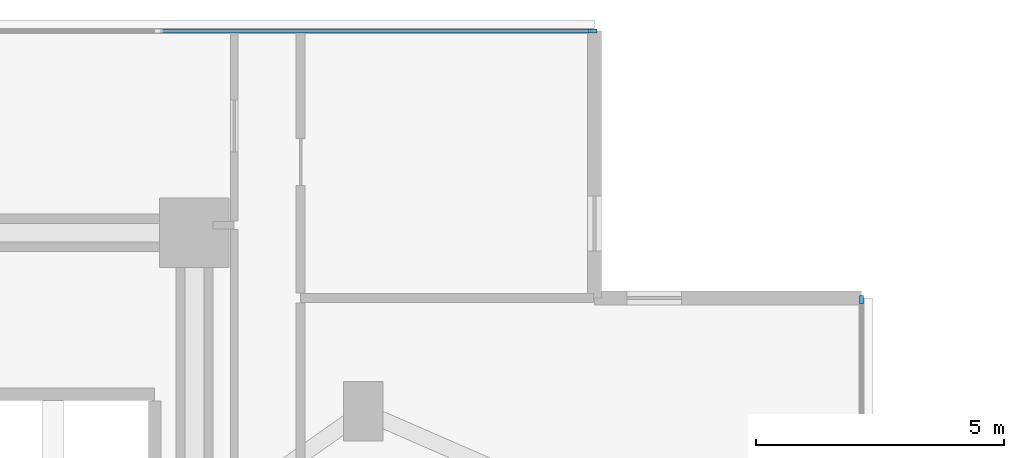
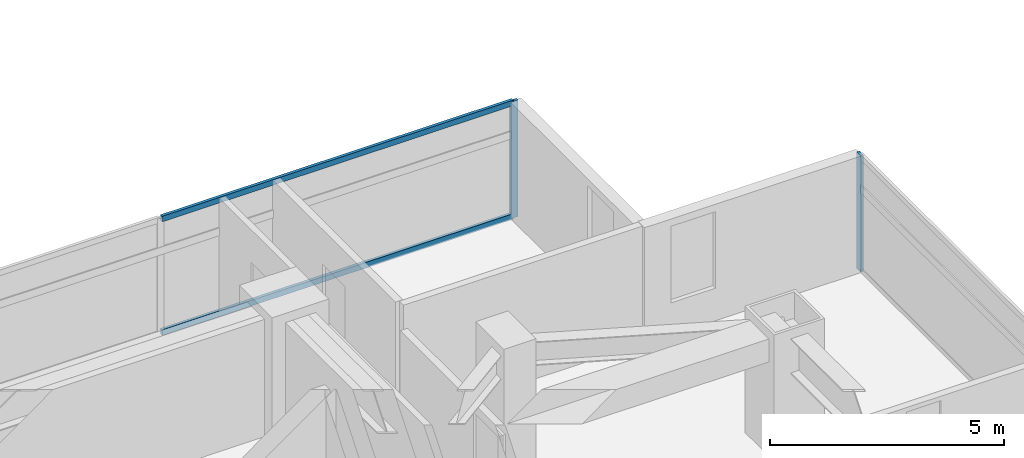
# One storey, part 8 of 26: 4 members, 2 elements without a shape of their own.
"""IFC4 building model written with IfcOpenShell, lengths in metres."""

from ifc_helpers import new_model, si_unit, direction, frame, origin, origin_2d, place, context, subcontext, project, spatial, rectangle, extrude, material, material_profile, profile_set, type_object, element, aggregate, save


model = new_model("IFC4")

# Units and contexts
model_context = context("Model", 3, precision=1e-05, world=origin(), true_north=direction((0.0, 1.0)))
body_context = subcontext(model_context, "Body", "Model", "MODEL_VIEW")
ifc_project = project(units=[si_unit("LENGTHUNIT", "METRE"), si_unit("AREAUNIT", "SQUARE_METRE"), si_unit("VOLUMEUNIT", "CUBIC_METRE"), si_unit("PLANEANGLEUNIT", "RADIAN"), si_unit("MASSUNIT", "GRAM", prefix="KILO")], contexts=[model_context])

# Site, building, storey
site_placement = place(None, origin())
site = spatial("IfcSite", under=ifc_project, at=site_placement, CompositionType="ELEMENT")
building_placement = place(site_placement, origin())
building = spatial("IfcBuilding", under=site, at=building_placement, Name="Mirazonda Arch Towers", CompositionType="ELEMENT")
storey_placement = place(building_placement, frame((0.0, 0.0, 45.5)))
storey = spatial("IfcBuildingStorey", under=building, at=storey_placement, Name="L12", CompositionType="ELEMENT", Elevation=45.5)

# Curtain wall, member
ifc_material_1 = material(Name="Anodised Aluminium and Low-E Glass", Category="aluminium")
curtain_wall_type = type_object("IfcCurtainWallType", Name="CW-HTL-UNIT", PredefinedType="NOTDEFINED", material=ifc_material_1)
curtain_wall_1_placement = place(storey_placement, origin())
curtain_wall_1 = element("IfcCurtainWall", 1, at=curtain_wall_1_placement, inside=storey, type_object=curtain_wall_type, Name="L12 T1 E Facade CW-L12-T1-E", PredefinedType="NOTDEFINED")
ifc_material_2 = material(Name="Anodised Aluminium Alloy", Category="aluminium")
ifc_material_profile_1 = material_profile(ifc_material_2, rectangle(XDim=0.074951171875, YDim=0.1650390625, at=origin_2d()), Name="ALU-MULL-75x165")
ifc_profile_set_1 = profile_set([ifc_material_profile_1], Name="Anodised Aluminium Alloy")
member_type_1 = type_object("IfcMemberType", Name="MULL-CW-HTL-UNIT", PredefinedType="MULLION", material=ifc_profile_set_1)
member_1_placement = place(storey_placement, frame((43.43994140625, 42.24853515625, 0.0), z_axis=(0.0, 0.0, 1.0), x_axis=(-1.0, 0.0, 0.0)))
member_1 = element("IfcMember", 2, at=member_1_placement, type_object=member_type_1, Name="CW-112 mullion 4", PredefinedType="MULLION", context=body_context, shape_type="SweptSolid", body=[
    extrude(rectangle(XDim=0.074951171875, YDim=0.1650390625, at=origin_2d()), origin(), (0.0, 0.0, 1.0), 3.0400390625),
])
aggregate(curtain_wall_1, [member_1])

# Curtain wall, members
curtain_wall_2_placement = place(storey_placement, origin())
curtain_wall_2 = element("IfcCurtainWall", 3, at=curtain_wall_2_placement, inside=storey, type_object=curtain_wall_type, Name="L12 T1 N Facade CW-L12-T1-N", PredefinedType="NOTDEFINED")
member_2_placement = place(storey_placement, frame((38.0224609375, 47.666015625, 0.0), z_axis=(0.0, 0.0, 1.0), x_axis=(0.0, 1.0, 0.0)))
member_2 = element("IfcMember", 4, at=member_2_placement, type_object=member_type_1, Name="CW-112 mullion 5", PredefinedType="MULLION", context=body_context, shape_type="SweptSolid", body=[
    extrude(rectangle(XDim=0.074951171875, YDim=0.1650390625, at=origin_2d()), origin(), (0.0, 0.0, 1.0), 3.0400390625),
])
ifc_material_profile_2 = material_profile(ifc_material_2, rectangle(XDim=0.074951171875, YDim=0.14501953125, at=origin_2d()), Name="ALU-TRAN-75x145")
ifc_profile_set_2 = profile_set([ifc_material_profile_2], Name="Anodised Aluminium Alloy")
member_type_2 = type_object("IfcMemberType", Name="TRAN-CW-HTL-UNIT", PredefinedType="USERDEFINED", material=ifc_profile_set_2)
member_3_placement = place(storey_placement, frame((29.3173828125, 47.666015625, 0.03759765625), z_axis=(1.0, 0.0, 0.0), x_axis=(0.0, 1.0, 0.0)))
member_3 = element("IfcMember", 5, at=member_3_placement, type_object=member_type_2, Name="CW-112 transom 4.1", ObjectType="TRANSOM", PredefinedType="USERDEFINED", context=body_context, shape_type="SweptSolid", body=[
    extrude(rectangle(XDim=0.074951171875, YDim=0.14501953125, at=origin_2d()), origin(), (0.0, 0.0, 1.0), 8.667724609375),
])
member_4_placement = place(storey_placement, frame((29.3173828125, 47.666015625, 3.00244140625), z_axis=(1.0, 0.0, 0.0), x_axis=(0.0, 1.0, 0.0)))
member_4 = element("IfcMember", 6, at=member_4_placement, type_object=member_type_2, Name="CW-112 transom 4.2", ObjectType="TRANSOM", PredefinedType="USERDEFINED", context=body_context, shape_type="SweptSolid", body=[
    extrude(rectangle(XDim=0.074951171875, YDim=0.14501953125, at=origin_2d()), origin(), (0.0, 0.0, 1.0), 8.667724609375),
])
aggregate(curtain_wall_2, [member_2, member_3, member_4])

save(model, "model.ifc")
